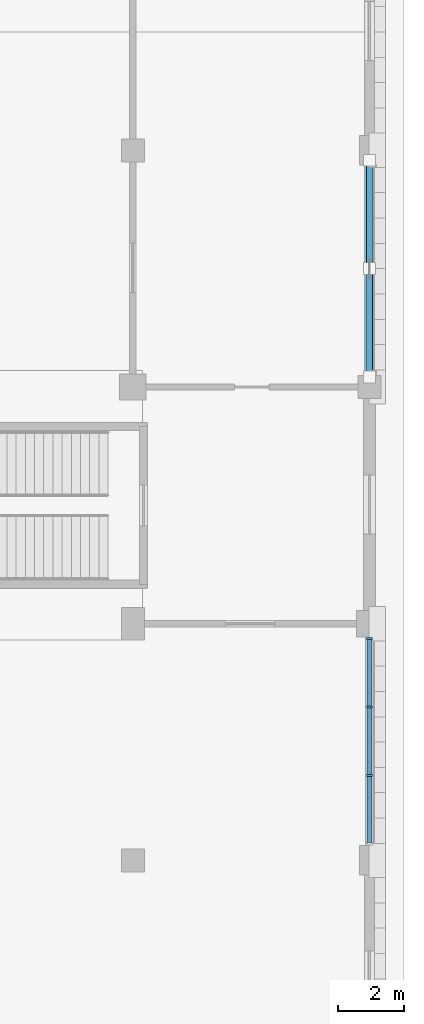
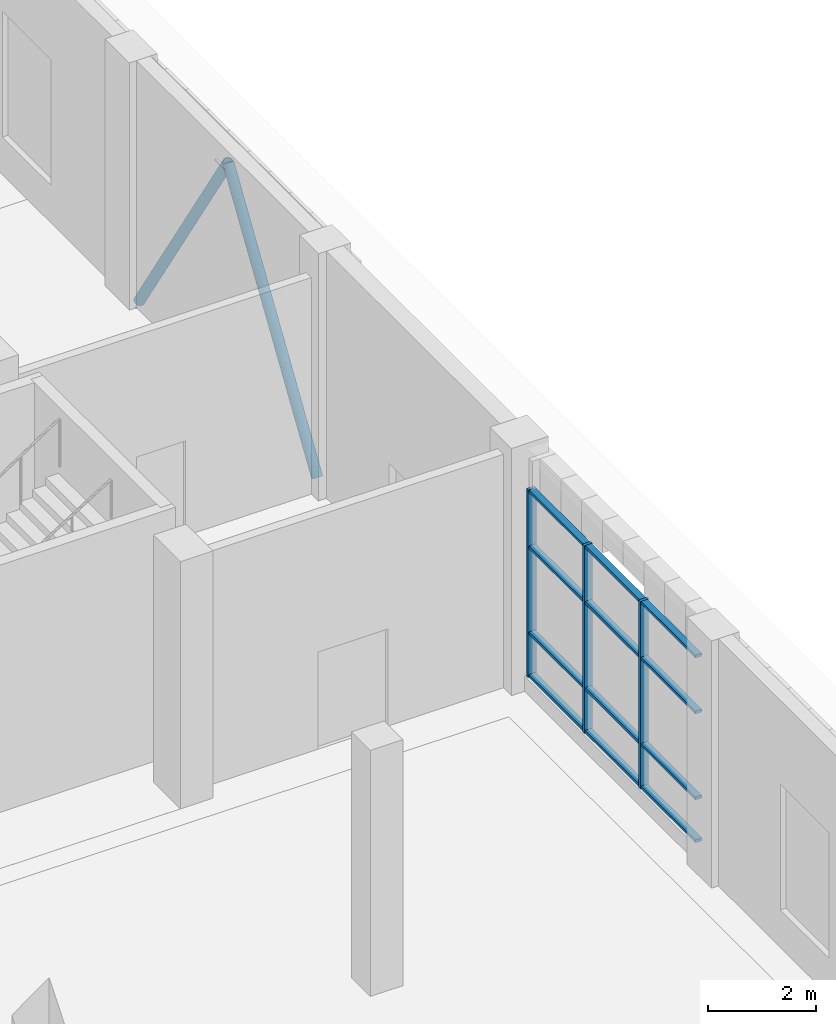
# One storey, part 31 of 85: 17 members, 1 element without a shape of its own.
"""IFC4 building model written with IfcOpenShell, lengths in metres."""

from ifc_helpers import new_model, si_unit, direction, frame, origin, origin_2d, place, context, subcontext, project, spatial, rectangle, hollow_circle, extrude, material, material_profile, profile_set, type_object, element, aggregate, save


model = new_model("IFC4")

# Units and contexts
model_context = context("Model", 3, precision=1e-05, world=origin(), true_north=direction((0.0, 1.0)))
body_context = subcontext(model_context, "Body", "Model", "MODEL_VIEW")
ifc_project = project(units=[si_unit("LENGTHUNIT", "METRE"), si_unit("AREAUNIT", "SQUARE_METRE"), si_unit("VOLUMEUNIT", "CUBIC_METRE"), si_unit("PLANEANGLEUNIT", "RADIAN"), si_unit("MASSUNIT", "GRAM", prefix="KILO")], contexts=[model_context])

# Site, building, storey
site_placement = place(None, origin())
site = spatial("IfcSite", under=ifc_project, at=site_placement, CompositionType="ELEMENT")
building_placement = place(site_placement, origin())
building = spatial("IfcBuilding", under=site, at=building_placement, Name="Sardonyx Promenade Sports Hall", CompositionType="ELEMENT")
storey_placement = place(building_placement, origin())
storey = spatial("IfcBuildingStorey", under=building, at=storey_placement, Name="L00", CompositionType="ELEMENT", Elevation=0.0)

# Curtain wall, members
ifc_material_1 = material(Name="Aluminium 6063-T6", Category="aluminium")
curtain_wall_type = type_object("IfcCurtainWallType", Name="CW_EastWing_L00", PredefinedType="USERDEFINED", material=ifc_material_1)
curtain_wall_placement = place(storey_placement, origin())
curtain_wall = element("IfcCurtainWall", 1, at=curtain_wall_placement, inside=storey, type_object=curtain_wall_type, Name="Curtain wall CW07 cw:L00:049", ObjectType="CURTAIN WALL", PredefinedType="USERDEFINED")
ifc_material_2 = material(Name="Aluminium 6063-T6", Category="aluminium")
ifc_material_profile_1 = material_profile(ifc_material_2, rectangle(XDim=0.06494140625, YDim=0.175048828125, at=origin_2d()))
ifc_profile_set_1 = profile_set([ifc_material_profile_1], Name="Aluminium 6063-T6")
member_type_1 = type_object("IfcMemberType", Name="CW_Mull_175", PredefinedType="MULLION", material=ifc_profile_set_1)
member_1_placement = place(storey_placement, frame((165.60009765625, 49.947509765625, 0.35009765625), z_axis=(0.0, 0.0, 1.0), x_axis=(0.0, -1.0, 0.0)))
member_1 = element("IfcMember", 2, at=member_1_placement, type_object=member_type_1, Name="Mullion CM02 cw:L00:049 #1", PredefinedType="MULLION", context=body_context, shape_type="SweptSolid", body=[
    extrude(rectangle(XDim=0.06494140625, YDim=0.175048828125, at=origin_2d()), origin(), (0.0, 0.0, 1.0), 4.25),
])
member_2_placement = place(storey_placement, frame((165.60009765625, 47.86572265625, 0.35009765625), z_axis=(0.0, 0.0, 1.0), x_axis=(0.0, -1.0, 0.0)))
member_2 = element("IfcMember", 3, at=member_2_placement, type_object=member_type_1, Name="Mullion CM02 cw:L00:049 #2", PredefinedType="MULLION", context=body_context, shape_type="SweptSolid", body=[
    extrude(rectangle(XDim=0.06494140625, YDim=0.175048828125, at=origin_2d()), origin(), (0.0, 0.0, 1.0), 4.25),
])
member_3_placement = place(storey_placement, frame((165.60009765625, 45.7841796875, 0.35009765625), z_axis=(0.0, 0.0, 1.0), x_axis=(0.0, -1.0, 0.0)))
member_3 = element("IfcMember", 4, at=member_3_placement, type_object=member_type_1, Name="Mullion CM02 cw:L00:049 #3", PredefinedType="MULLION", context=body_context, shape_type="SweptSolid", body=[
    extrude(rectangle(XDim=0.06494140625, YDim=0.175048828125, at=origin_2d()), origin(), (0.0, 0.0, 1.0), 4.25),
])
ifc_material_3 = material(Name="Aluminium 6063-T6", Category="aluminium")
ifc_material_profile_2 = material_profile(ifc_material_3, rectangle(XDim=0.06494140625, YDim=0.139892578125, at=origin_2d()))
ifc_profile_set_2 = profile_set([ifc_material_profile_2], Name="Aluminium 6063-T6")
member_type_2 = type_object("IfcMemberType", Name="CW_Tran_140", PredefinedType="USERDEFINED", material=ifc_profile_set_2)
member_4_placement = place(storey_placement, frame((165.60009765625, 49.9150390625, 0.382568359375), z_axis=(0.0, -1.0, 0.0), x_axis=(0.0, 0.0, 1.0)))
member_4 = element("IfcMember", 5, at=member_4_placement, type_object=member_type_2, Name="Transom CT02 cw:L00:049 #1", ObjectType="TRANSOM", PredefinedType="USERDEFINED", context=body_context, shape_type="SweptSolid", body=[
    extrude(rectangle(XDim=0.06494140625, YDim=0.139892578125, at=origin_2d()), origin(), (0.0, 0.0, 1.0), 2.0166015625),
])
member_5_placement = place(storey_placement, frame((165.60009765625, 49.9150390625, 1.35009765625), z_axis=(0.0, -1.0, 0.0), x_axis=(0.0, 0.0, 1.0)))
member_5 = element("IfcMember", 6, at=member_5_placement, type_object=member_type_2, Name="Transom CT02 cw:L00:049 #2", ObjectType="TRANSOM", PredefinedType="USERDEFINED", context=body_context, shape_type="SweptSolid", body=[
    extrude(rectangle(XDim=0.06494140625, YDim=0.139892578125, at=origin_2d()), origin(), (0.0, 0.0, 1.0), 2.0166015625),
])
member_6_placement = place(storey_placement, frame((165.60009765625, 49.9150390625, 3.300048828125), z_axis=(0.0, -1.0, 0.0), x_axis=(0.0, 0.0, 1.0)))
member_6 = element("IfcMember", 7, at=member_6_placement, type_object=member_type_2, Name="Transom CT02 cw:L00:049 #3", ObjectType="TRANSOM", PredefinedType="USERDEFINED", context=body_context, shape_type="SweptSolid", body=[
    extrude(rectangle(XDim=0.06494140625, YDim=0.139892578125, at=origin_2d()), origin(), (0.0, 0.0, 1.0), 2.0166015625),
])
member_7_placement = place(storey_placement, frame((165.60009765625, 49.9150390625, 4.5673828125), z_axis=(0.0, -1.0, 0.0), x_axis=(0.0, 0.0, 1.0)))
member_7 = element("IfcMember", 8, at=member_7_placement, type_object=member_type_2, Name="Transom CT02 cw:L00:049 #4", ObjectType="TRANSOM", PredefinedType="USERDEFINED", context=body_context, shape_type="SweptSolid", body=[
    extrude(rectangle(XDim=0.06494140625, YDim=0.139892578125, at=origin_2d()), origin(), (0.0, 0.0, 1.0), 2.0166015625),
])
member_8_placement = place(storey_placement, frame((165.60009765625, 47.833251953125, 0.382568359375), z_axis=(0.0, -1.0, 0.0), x_axis=(0.0, 0.0, 1.0)))
member_8 = element("IfcMember", 9, at=member_8_placement, type_object=member_type_2, Name="Transom CT02 cw:L00:049 #5", ObjectType="TRANSOM", PredefinedType="USERDEFINED", context=body_context, shape_type="SweptSolid", body=[
    extrude(rectangle(XDim=0.06494140625, YDim=0.139892578125, at=origin_2d()), origin(), (0.0, 0.0, 1.0), 2.0166015625),
])
member_9_placement = place(storey_placement, frame((165.60009765625, 47.833251953125, 1.35009765625), z_axis=(0.0, -1.0, 0.0), x_axis=(0.0, 0.0, 1.0)))
member_9 = element("IfcMember", 10, at=member_9_placement, type_object=member_type_2, Name="Transom CT02 cw:L00:049 #6", ObjectType="TRANSOM", PredefinedType="USERDEFINED", context=body_context, shape_type="SweptSolid", body=[
    extrude(rectangle(XDim=0.06494140625, YDim=0.139892578125, at=origin_2d()), origin(), (0.0, 0.0, 1.0), 2.0166015625),
])
member_10_placement = place(storey_placement, frame((165.60009765625, 47.833251953125, 3.300048828125), z_axis=(0.0, -1.0, 0.0), x_axis=(0.0, 0.0, 1.0)))
member_10 = element("IfcMember", 11, at=member_10_placement, type_object=member_type_2, Name="Transom CT02 cw:L00:049 #7", ObjectType="TRANSOM", PredefinedType="USERDEFINED", context=body_context, shape_type="SweptSolid", body=[
    extrude(rectangle(XDim=0.06494140625, YDim=0.139892578125, at=origin_2d()), origin(), (0.0, 0.0, 1.0), 2.0166015625),
])
member_11_placement = place(storey_placement, frame((165.60009765625, 47.833251953125, 4.5673828125), z_axis=(0.0, -1.0, 0.0), x_axis=(0.0, 0.0, 1.0)))
member_11 = element("IfcMember", 12, at=member_11_placement, type_object=member_type_2, Name="Transom CT02 cw:L00:049 #8", ObjectType="TRANSOM", PredefinedType="USERDEFINED", context=body_context, shape_type="SweptSolid", body=[
    extrude(rectangle(XDim=0.06494140625, YDim=0.139892578125, at=origin_2d()), origin(), (0.0, 0.0, 1.0), 2.0166015625),
])
member_12_placement = place(storey_placement, frame((165.60009765625, 45.751708984375, 0.382568359375), z_axis=(0.0, -1.0, 0.0), x_axis=(0.0, 0.0, 1.0)))
member_12 = element("IfcMember", 13, at=member_12_placement, type_object=member_type_2, Name="Transom CT02 cw:L00:049 #9", ObjectType="TRANSOM", PredefinedType="USERDEFINED", context=body_context, shape_type="SweptSolid", body=[
    extrude(rectangle(XDim=0.06494140625, YDim=0.139892578125, at=origin_2d()), origin(), (0.0, 0.0, 1.0), 2.0166015625),
])
member_13_placement = place(storey_placement, frame((165.60009765625, 45.751708984375, 1.35009765625), z_axis=(0.0, -1.0, 0.0), x_axis=(0.0, 0.0, 1.0)))
member_13 = element("IfcMember", 14, at=member_13_placement, type_object=member_type_2, Name="Transom CT02 cw:L00:049 #10", ObjectType="TRANSOM", PredefinedType="USERDEFINED", context=body_context, shape_type="SweptSolid", body=[
    extrude(rectangle(XDim=0.06494140625, YDim=0.139892578125, at=origin_2d()), origin(), (0.0, 0.0, 1.0), 2.0166015625),
])
member_14_placement = place(storey_placement, frame((165.60009765625, 45.751708984375, 3.300048828125), z_axis=(0.0, -1.0, 0.0), x_axis=(0.0, 0.0, 1.0)))
member_14 = element("IfcMember", 15, at=member_14_placement, type_object=member_type_2, Name="Transom CT02 cw:L00:049 #11", ObjectType="TRANSOM", PredefinedType="USERDEFINED", context=body_context, shape_type="SweptSolid", body=[
    extrude(rectangle(XDim=0.06494140625, YDim=0.139892578125, at=origin_2d()), origin(), (0.0, 0.0, 1.0), 2.0166015625),
])
member_15_placement = place(storey_placement, frame((165.60009765625, 45.751708984375, 4.5673828125), z_axis=(0.0, -1.0, 0.0), x_axis=(0.0, 0.0, 1.0)))
member_15 = element("IfcMember", 16, at=member_15_placement, type_object=member_type_2, Name="Transom CT02 cw:L00:049 #12", ObjectType="TRANSOM", PredefinedType="USERDEFINED", context=body_context, shape_type="SweptSolid", body=[
    extrude(rectangle(XDim=0.06494140625, YDim=0.139892578125, at=origin_2d()), origin(), (0.0, 0.0, 1.0), 2.0166015625),
])
aggregate(curtain_wall, [member_1, member_2, member_3, member_4, member_5, member_6, member_7, member_8, member_9, member_10, member_11, member_12, member_13, member_14, member_15])

# Members
ifc_material_4 = material(Name="Steel S355JR", Category="steel")
ifc_material_profile_3 = material_profile(ifc_material_4, hollow_circle(Radius=0.109619140625, WallThickness=0.010009765625, at=origin_2d()))
ifc_profile_set_3 = profile_set([ifc_material_profile_3], Name="Steel S355JR")
member_type_3 = type_object("IfcMemberType", Name="Mbr_Brace_CHS219_Ext", PredefinedType="BRACE", material=ifc_profile_set_3)
for number, where, z_axis, x_axis, name in (
    (17, (165.60009765625, 57.89990234375, 0.02001953125), (0.0, 0.541020546305, 0.841009374785), (-1.0, 0.0, 0.0), "Chevron brace BR02 BF3 L00 leg 1"),
    (18, (165.60009765625, 64.5, 0.02001953125), (0.0, -0.541020546305, 0.841009374785), (1.0, 0.0, 0.0), "Chevron brace BR02 BF3 L00 leg 2"),
):
    element("IfcMember", number, at=place(storey_placement, frame(where, z_axis=z_axis, x_axis=x_axis)), inside=storey, type_object=member_type_3, Name=name, PredefinedType="BRACE", context=body_context, shape_type="SweptSolid", body=[
        extrude(hollow_circle(Radius=0.109619140625, WallThickness=0.010009765625, at=origin_2d()), origin(), (0.0, 0.0, 1.0), 6.099609375),
    ])

save(model, "model.ifc")
